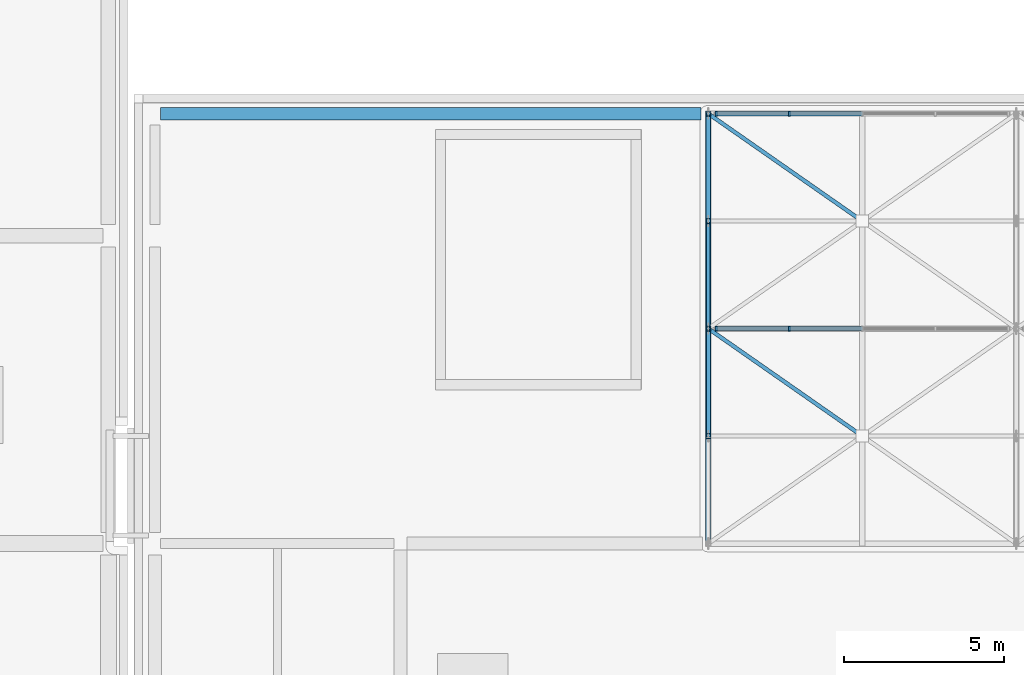
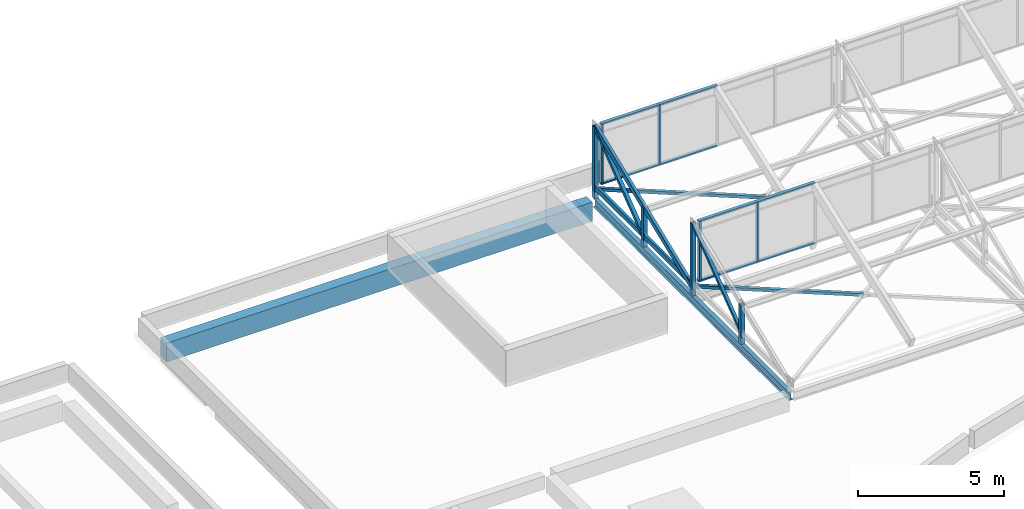
# One storey, part 12 of 40: 22 members, 2 beams, 2 elements without a shape of their own.
"""IFC4 building model written with IfcOpenShell, lengths in metres."""

import ifcopenshell
import ifcopenshell.guid

model = None  # the IFC model being written
_history = None  # IfcOwnerHistory: only IFC2X3 demands one
_inside = {}  # id of a spatial element -> (the spatial element, [elements in it])
_under = {}  # id of a project, library or spatial element -> (it, [spatial elements below it])
_declared = {}  # id of a project -> (the project, [libraries it declares])
_typed = {}  # id of a type object -> (the type object, [elements of that type])
_made_of = {}  # id of a material, layer set ... -> (it, [elements and type objects made of it])


def new_model(schema):
    """Start an empty IFC model of exactly this schema.

    Asked for "IFC4X3", IfcOpenShell would pick the latest addendum, in which some entities
    have other attributes; the version numbers below select the first issue.
    IFC2X3 requires an IfcOwnerHistory on every rooted entity: one is made here for all.
    """
    global model, _history
    if schema == "IFC4X3":
        model = ifcopenshell.file(schema_version=(4, 3, 0, 0))
    else:
        model = ifcopenshell.file(schema=schema)
    _inside.clear()
    _under.clear()
    _declared.clear()
    _typed.clear()
    _made_of.clear()
    _history = None
    if model.schema == "IFC2X3":
        org = make("IfcOrganization", Name="unknown")
        user = make(
            "IfcPersonAndOrganization",
            ThePerson=make("IfcPerson", FamilyName="unknown"),
            TheOrganization=org,
        )
        app = make(
            "IfcApplication",
            ApplicationDeveloper=org,
            Version="unknown",
            ApplicationFullName="unknown",
            ApplicationIdentifier="unknown",
        )
        _history = make(
            "IfcOwnerHistory",
            OwningUser=user,
            OwningApplication=app,
            ChangeAction="ADDED",
            CreationDate=0,
        )
    return model


def make(cls, **values):
    """One entity of the class cls with the attributes given. An attribute that is None is left unset."""
    return model.create_entity(
        cls, **{name: value for name, value in values.items() if value is not None}
    )


def rooted(cls, **values):
    """An entity with a GlobalId (a new one), such as an element, a storey or a relation."""
    return make(cls, GlobalId=ifcopenshell.guid.new(), OwnerHistory=_history, **values)


def si_unit(unit_type, name, prefix=None):
    """IfcSIUnit, for example si_unit("LENGTHUNIT", "METRE", prefix="MILLI")."""
    return make("IfcSIUnit", UnitType=unit_type, Prefix=prefix, Name=name)


def assignment(units):
    """IfcUnitAssignment: the units of a project."""
    return None if units is None else make("IfcUnitAssignment", Units=units)


def point(xyz):
    """IfcCartesianPoint."""
    return None if xyz is None else make("IfcCartesianPoint", Coordinates=xyz)


def direction(xyz):
    """IfcDirection."""
    return None if xyz is None else make("IfcDirection", DirectionRatios=xyz)


def frame(location, z_axis=None, x_axis=None):
    """IfcAxis2Placement3D, a coordinate frame: its origin and axes. An axis left out is left unset."""
    return make(
        "IfcAxis2Placement3D",
        Location=point(location),
        Axis=direction(z_axis),
        RefDirection=direction(x_axis),
    )


def frame_2d(location, x_axis=None):
    """IfcAxis2Placement2D, a coordinate frame in the plane: its origin and x axis."""
    return make(
        "IfcAxis2Placement2D", Location=point(location), RefDirection=direction(x_axis)
    )


def origin():
    """The frame at (0, 0, 0) with its axes left unset."""
    return frame((0.0, 0.0, 0.0))


def origin_2d():
    """The frame at (0, 0) in the plane with its x axis left unset."""
    return frame_2d((0.0, 0.0))


def place(relative_to, where):
    """IfcLocalPlacement: puts the frame where relative to a parent placement (None: the world)."""
    return make(
        "IfcLocalPlacement", PlacementRelTo=relative_to, RelativePlacement=where
    )


def context(
    kind, dimensions, precision=None, world=None, true_north=None, identifier=None
):
    """IfcGeometricRepresentationContext, for example the 3D "Model" context."""
    return make(
        "IfcGeometricRepresentationContext",
        ContextIdentifier=identifier,
        ContextType=kind,
        CoordinateSpaceDimension=dimensions,
        Precision=precision,
        WorldCoordinateSystem=world,
        TrueNorth=true_north,
    )


def subcontext(parent, identifier, kind, view, scale=None):
    """IfcGeometricRepresentationSubContext, for example "Body" below "Model"."""
    return make(
        "IfcGeometricRepresentationSubContext",
        ContextIdentifier=identifier,
        ContextType=kind,
        ParentContext=parent,
        TargetScale=scale,
        TargetView=view,
    )


def project(units=None, contexts=None):
    """IfcProject with its units and contexts."""
    return rooted(
        "IfcProject",
        Name="project",
        RepresentationContexts=contexts,
        UnitsInContext=assignment(units),
    )


def spatial(cls, under=None, at=None, **own):
    """A site, building, storey or space (cls), placed at a placement, below another one or the project."""
    s = rooted(cls, ObjectPlacement=at, **own)
    if under is not None:
        _under.setdefault(under.id(), (under, []))[1].append(s)
    return s


def profile(cls, at=None, kind="AREA", **sizes):
    """A parametric profile (cls). Its sizes go by their IFC names, for example OverallWidth=200.0."""
    return make(cls, ProfileType=kind, Position=at, **sizes)


def rectangle(**sizes):
    """IfcRectangleProfileDef."""
    return profile("IfcRectangleProfileDef", **sizes)


def hollow_rectangle(**sizes):
    """IfcRectangleHollowProfileDef."""
    return profile("IfcRectangleHollowProfileDef", **sizes)


def i_section(**sizes):
    """IfcIShapeProfileDef."""
    return profile("IfcIShapeProfileDef", **sizes)


def extrude(swept, where, along, depth):
    """IfcExtrudedAreaSolid: the profile swept, set in the frame where, extruded along a direction by depth."""
    return make(
        "IfcExtrudedAreaSolid",
        SweptArea=swept,
        Position=where,
        ExtrudedDirection=direction(along),
        Depth=depth,
    )


def shape(context_of_items, identifier, shape_type, items):
    """IfcShapeRepresentation: the items that make up one representation, for example the "Body"."""
    return make(
        "IfcShapeRepresentation",
        ContextOfItems=context_of_items,
        RepresentationIdentifier=identifier,
        RepresentationType=shape_type,
        Items=items,
    )


def material(Name=None, Category=None):
    """IfcMaterial."""
    return make("IfcMaterial", Name=Name, Category=Category)


def material_profile(
    of_material, cross_section, Name=None, Category=None, Priority=None
):
    """IfcMaterialProfile: a cross section and its material."""
    return make(
        "IfcMaterialProfile",
        Name=Name,
        Material=of_material,
        Profile=cross_section,
        Priority=Priority,
        Category=Category,
    )


def profile_set(profiles, Name=None, composite=None):
    """IfcMaterialProfileSet."""
    return make(
        "IfcMaterialProfileSet",
        Name=Name,
        MaterialProfiles=profiles,
        CompositeProfile=composite,
    )


def made_of(thing, what):
    """Note that an element or type object is made of a material, layer set ...; save() writes the relation."""
    if what is not None:
        _made_of.setdefault(what.id(), (what, []))[1].append(thing)
    return thing


def type_object(cls, material=None, **own):
    """A type object (cls), such as IfcWallType, which elements share."""
    return made_of(rooted(cls, **own), material)


def element(
    cls,
    number,
    at=None,
    inside=None,
    cuts=None,
    type_object=None,
    material=None,
    context=None,
    identifier="Body",
    shape_type=None,
    held_by="IfcProductDefinitionShape",
    body=None,
    shapes=None,
    **own,
):
    """One element of the class cls, such as IfcWall. Its Tag is "e" and its number.

    at: its placement. inside: the storey or other place that contains it. cuts: it is an
    opening in that element (IfcRelVoidsElement). A single representation is given by context,
    identifier, shape_type and body (its items); several are given by shapes. held_by: the class
    of the entity that holds the representations. save() writes the other relations.
    """
    e = rooted(cls, Tag="e%d" % number, ObjectPlacement=at, **own)
    if body is not None:
        shapes = [shape(context, identifier, shape_type, body)]
    if shapes is not None:
        e.Representation = make(held_by, Representations=shapes)
    if inside is not None:
        _inside.setdefault(inside.id(), (inside, []))[1].append(e)
    if cuts is not None:
        rooted(
            "IfcRelVoidsElement", RelatingBuildingElement=cuts, RelatedOpeningElement=e
        )
    if type_object is not None:
        _typed.setdefault(type_object.id(), (type_object, []))[1].append(e)
    return made_of(e, material)


def aggregate(whole, parts):
    """IfcRelAggregates: a whole, such as a stair, and the parts it consists of."""
    return rooted("IfcRelAggregates", RelatingObject=whole, RelatedObjects=parts)


def save(model, path):
    """Write the relations noted so far, then the file.

    IfcRelAggregates (storeys below a building ...), IfcRelContainedInSpatialStructure (elements
    in a storey), IfcRelDefinesByType, IfcRelAssociatesMaterial and IfcRelDeclares: one each for
    every whole, place, type object, material and project.
    """
    for whole, parts in _under.values():
        aggregate(whole, parts)
    for where, things in _inside.values():
        rooted(
            "IfcRelContainedInSpatialStructure",
            RelatedElements=things,
            RelatingStructure=where,
        )
    for kind, things in _typed.values():
        rooted("IfcRelDefinesByType", RelatedObjects=things, RelatingType=kind)
    for what, things in _made_of.values():
        rooted("IfcRelAssociatesMaterial", RelatedObjects=things, RelatingMaterial=what)
    for by, libraries in _declared.values():
        rooted("IfcRelDeclares", RelatingContext=by, RelatedDefinitions=libraries)
    model.write(path)


model = new_model("IFC4")

# Units and contexts
model_context = context("Model", 3, precision=1e-05, world=origin(), true_north=direction((0.0, 1.0)))
body_context = subcontext(model_context, "Body", "Model", "MODEL_VIEW")
ifc_project = project(units=[si_unit("LENGTHUNIT", "METRE"), si_unit("AREAUNIT", "SQUARE_METRE"), si_unit("VOLUMEUNIT", "CUBIC_METRE"), si_unit("PLANEANGLEUNIT", "RADIAN"), si_unit("MASSUNIT", "GRAM", prefix="KILO")], contexts=[model_context])

# Site, building, storey
site_placement = place(None, origin())
site = spatial("IfcSite", under=ifc_project, at=site_placement, CompositionType="ELEMENT")
building_placement = place(site_placement, origin())
building = spatial("IfcBuilding", under=site, at=building_placement, Name="Mzevani Central Library", CompositionType="ELEMENT")
storey_placement = place(building_placement, frame((0.0, 0.0, 26.699951171875)))
storey = spatial("IfcBuildingStorey", under=building, at=storey_placement, Name="RF", CompositionType="ELEMENT", Elevation=26.699951171875)

# Beam
ifc_material_1 = material(Name="Concrete C35/45", Category="concrete")
ifc_material_profile_1 = material_profile(ifc_material_1, rectangle(XDim=0.39990234375, YDim=0.800048828125, at=origin_2d()), Name="RC B400x800")
ifc_profile_set_1 = profile_set([ifc_material_profile_1], Name="Concrete C35/45")
beam_type_1 = type_object("IfcBeamType", Name="Beam RC 400x800", PredefinedType="BEAM", material=ifc_profile_set_1)
beam_1_placement = place(storey_placement, frame((46.925048828125, 113.39990234375, -4.85986328125), z_axis=(1.0, 0.0, 0.0), x_axis=(0.0, 1.0, 0.0)))
element("IfcBeam", 1, at=beam_1_placement, inside=storey, type_object=beam_type_1, Name="RF V3 Girder B-10 (770)", PredefinedType="BEAM", context=body_context, shape_type="SweptSolid", body=[
    extrude(rectangle(XDim=0.39990234375, YDim=0.800048828125, at=origin_2d()), origin(), (0.0, 0.0, 1.0), 16.849853515625),
])

# Curtain wall, members
ifc_material_2 = material(Name="Thermally broken aluminium and Low-E triple glazing", Category="aluminium")
curtain_wall_type = type_object("IfcCurtainWallType", Name="Sawtooth Clerestory Curtain Wall", PredefinedType="NOTDEFINED", material=ifc_material_2)
curtain_wall_1_placement = place(storey_placement, origin())
curtain_wall_1 = element("IfcCurtainWall", 2, at=curtain_wall_1_placement, inside=storey, type_object=curtain_wall_type, Name="RF Sawtooth Northlight Clerestory 1.1", PredefinedType="NOTDEFINED")
ifc_material_3 = material(Name="Thermally broken aluminium AW-6060", Category="aluminium")
ifc_material_profile_2 = material_profile(ifc_material_3, rectangle(XDim=0.06005859375, YDim=0.159912109375, at=origin_2d()), Name="ALU M60x160")
ifc_profile_set_2 = profile_set([ifc_material_profile_2], Name="Thermally broken aluminium AW-6060")
member_type_1 = type_object("IfcMemberType", Name="CW Mullion 60x160", PredefinedType="MULLION", material=ifc_profile_set_2)
member_1_placement = place(storey_placement, frame((64.25, 106.699951171875, -3.949951171875), z_axis=(0.0, 0.0, 1.0), x_axis=(1.0, 0.0, 0.0)))
member_1 = element("IfcMember", 3, at=member_1_placement, type_object=member_type_1, Name="RF Sawtooth Northlight Clerestory 1.1 Mullion 1", PredefinedType="MULLION", context=body_context, shape_type="SweptSolid", body=[
    extrude(rectangle(XDim=0.06005859375, YDim=0.159912109375, at=origin_2d()), origin(), (0.0, 0.0, 1.0), 2.5),
])
member_2_placement = place(storey_placement, frame((66.52490234375, 106.699951171875, -3.949951171875), z_axis=(0.0, 0.0, 1.0), x_axis=(1.0, 0.0, 0.0)))
member_2 = element("IfcMember", 4, at=member_2_placement, type_object=member_type_1, Name="RF Sawtooth Northlight Clerestory 1.1 Mullion 2", PredefinedType="MULLION", context=body_context, shape_type="SweptSolid", body=[
    extrude(rectangle(XDim=0.06005859375, YDim=0.159912109375, at=origin_2d()), origin(), (0.0, 0.0, 1.0), 2.5),
])

curtain_wall_2_placement = place(storey_placement, origin())
curtain_wall_2 = element("IfcCurtainWall", 5, at=curtain_wall_2_placement, inside=storey, type_object=curtain_wall_type, Name="RF Sawtooth Northlight Clerestory 2.1", PredefinedType="NOTDEFINED")
member_3_placement = place(storey_placement, frame((64.25, 113.39990234375, -3.949951171875), z_axis=(0.0, 0.0, 1.0), x_axis=(1.0, 0.0, 0.0)))
member_3 = element("IfcMember", 6, at=member_3_placement, type_object=member_type_1, Name="RF Sawtooth Northlight Clerestory 2.1 Mullion 1", PredefinedType="MULLION", context=body_context, shape_type="SweptSolid", body=[
    extrude(rectangle(XDim=0.06005859375, YDim=0.159912109375, at=origin_2d()), origin(), (0.0, 0.0, 1.0), 2.5),
])
member_4_placement = place(storey_placement, frame((66.52490234375, 113.39990234375, -3.949951171875), z_axis=(0.0, 0.0, 1.0), x_axis=(1.0, 0.0, 0.0)))
member_4 = element("IfcMember", 7, at=member_4_placement, type_object=member_type_1, Name="RF Sawtooth Northlight Clerestory 2.1 Mullion 2", PredefinedType="MULLION", context=body_context, shape_type="SweptSolid", body=[
    extrude(rectangle(XDim=0.06005859375, YDim=0.159912109375, at=origin_2d()), origin(), (0.0, 0.0, 1.0), 2.5),
])

# Member
ifc_material_profile_3 = material_profile(ifc_material_3, rectangle(XDim=0.1298828125, YDim=0.06005859375, at=origin_2d()), Name="ALU T60x130")
ifc_profile_set_3 = profile_set([ifc_material_profile_3], Name="Thermally broken aluminium AW-6060")
member_type_2 = type_object("IfcMemberType", Name="CW Transom 60x130", PredefinedType="USERDEFINED", material=ifc_profile_set_3)
member_5_placement = place(storey_placement, frame((64.199951171875, 106.699951171875, -3.949951171875), z_axis=(1.0, 0.0, 0.0), x_axis=(0.0, 1.0, 0.0)))
member_5 = element("IfcMember", 8, at=member_5_placement, type_object=member_type_2, Name="RF Sawtooth Northlight Clerestory 1.1 Transom 1", ObjectType="TRANSOM", PredefinedType="USERDEFINED", context=body_context, shape_type="SweptSolid", body=[
    extrude(rectangle(XDim=0.1298828125, YDim=0.06005859375, at=origin_2d()), origin(), (0.0, 0.0, 1.0), 2.300048828125),
])

member_6_placement = place(storey_placement, frame((64.199951171875, 106.699951171875, -1.449951171875), z_axis=(1.0, 0.0, 0.0), x_axis=(0.0, 1.0, 0.0)))
member_6 = element("IfcMember", 9, at=member_6_placement, type_object=member_type_2, Name="RF Sawtooth Northlight Clerestory 1.1 Transom 2", ObjectType="TRANSOM", PredefinedType="USERDEFINED", context=body_context, shape_type="SweptSolid", body=[
    extrude(rectangle(XDim=0.1298828125, YDim=0.06005859375, at=origin_2d()), origin(), (0.0, 0.0, 1.0), 2.300048828125),
])

member_7_placement = place(storey_placement, frame((66.5, 106.699951171875, -3.949951171875), z_axis=(1.0, 0.0, 0.0), x_axis=(0.0, 1.0, 0.0)))
member_7 = element("IfcMember", 10, at=member_7_placement, type_object=member_type_2, Name="RF Sawtooth Northlight Clerestory 1.1 Transom 3", ObjectType="TRANSOM", PredefinedType="USERDEFINED", context=body_context, shape_type="SweptSolid", body=[
    extrude(rectangle(XDim=0.1298828125, YDim=0.06005859375, at=origin_2d()), origin(), (0.0, 0.0, 1.0), 2.300048828125),
])

member_8_placement = place(storey_placement, frame((66.5, 106.699951171875, -1.449951171875), z_axis=(1.0, 0.0, 0.0), x_axis=(0.0, 1.0, 0.0)))
member_8 = element("IfcMember", 11, at=member_8_placement, type_object=member_type_2, Name="RF Sawtooth Northlight Clerestory 1.1 Transom 4", ObjectType="TRANSOM", PredefinedType="USERDEFINED", context=body_context, shape_type="SweptSolid", body=[
    extrude(rectangle(XDim=0.1298828125, YDim=0.06005859375, at=origin_2d()), origin(), (0.0, 0.0, 1.0), 2.300048828125),
])

aggregate(curtain_wall_1, [member_1, member_2, member_5, member_6, member_7, member_8])

member_9_placement = place(storey_placement, frame((64.199951171875, 113.39990234375, -3.949951171875), z_axis=(1.0, 0.0, 0.0), x_axis=(0.0, 1.0, 0.0)))
member_9 = element("IfcMember", 12, at=member_9_placement, type_object=member_type_2, Name="RF Sawtooth Northlight Clerestory 2.1 Transom 1", ObjectType="TRANSOM", PredefinedType="USERDEFINED", context=body_context, shape_type="SweptSolid", body=[
    extrude(rectangle(XDim=0.1298828125, YDim=0.06005859375, at=origin_2d()), origin(), (0.0, 0.0, 1.0), 2.300048828125),
])

member_10_placement = place(storey_placement, frame((64.199951171875, 113.39990234375, -1.449951171875), z_axis=(1.0, 0.0, 0.0), x_axis=(0.0, 1.0, 0.0)))
member_10 = element("IfcMember", 13, at=member_10_placement, type_object=member_type_2, Name="RF Sawtooth Northlight Clerestory 2.1 Transom 2", ObjectType="TRANSOM", PredefinedType="USERDEFINED", context=body_context, shape_type="SweptSolid", body=[
    extrude(rectangle(XDim=0.1298828125, YDim=0.06005859375, at=origin_2d()), origin(), (0.0, 0.0, 1.0), 2.300048828125),
])

member_11_placement = place(storey_placement, frame((66.5, 113.39990234375, -3.949951171875), z_axis=(1.0, 0.0, 0.0), x_axis=(0.0, 1.0, 0.0)))
member_11 = element("IfcMember", 14, at=member_11_placement, type_object=member_type_2, Name="RF Sawtooth Northlight Clerestory 2.1 Transom 3", ObjectType="TRANSOM", PredefinedType="USERDEFINED", context=body_context, shape_type="SweptSolid", body=[
    extrude(rectangle(XDim=0.1298828125, YDim=0.06005859375, at=origin_2d()), origin(), (0.0, 0.0, 1.0), 2.300048828125),
])

member_12_placement = place(storey_placement, frame((66.5, 113.39990234375, -1.449951171875), z_axis=(1.0, 0.0, 0.0), x_axis=(0.0, 1.0, 0.0)))
member_12 = element("IfcMember", 15, at=member_12_placement, type_object=member_type_2, Name="RF Sawtooth Northlight Clerestory 2.1 Transom 4", ObjectType="TRANSOM", PredefinedType="USERDEFINED", context=body_context, shape_type="SweptSolid", body=[
    extrude(rectangle(XDim=0.1298828125, YDim=0.06005859375, at=origin_2d()), origin(), (0.0, 0.0, 1.0), 2.300048828125),
])

aggregate(curtain_wall_2, [member_3, member_4, member_9, member_10, member_11, member_12])

# Members
ifc_material_4 = material(Name="Steel S355J2", Category="steel")
ifc_material_profile_4 = material_profile(ifc_material_4, hollow_rectangle(XDim=0.1201171875, YDim=0.1201171875, WallThickness=0.008056640625, at=origin_2d()), Name="SHS 120x120x8.0")
ifc_profile_set_4 = profile_set([ifc_material_profile_4], Name="Steel S355J2")
member_type_3 = type_object("IfcMemberType", Name="Roof Plan Brace SHS 120x120", PredefinedType="BRACE", material=ifc_profile_set_4)
member_13_placement = place(storey_placement, frame((64.0, 103.35009765625, -4.02001953125), z_axis=(0.0, 0.795685909111, 0.605709446882), x_axis=(-1.0, 0.0, 0.0)))
element("IfcMember", 16, at=member_13_placement, inside=storey, type_object=member_type_3, Name="RF Sawtooth Web Diagonal 1.1", PredefinedType="BRACE", context=body_context, shape_type="SweptSolid", body=[
    extrude(hollow_rectangle(XDim=0.1201171875, YDim=0.1201171875, WallThickness=0.008056640625, at=origin_2d()), origin(), (0.0, 0.0, 1.0), 4.2099609375),
])
for number, where, z_axis, x_axis, name in (
    (17, (68.800048828125, 103.35009765625, -4.099853515625), (-0.820048200917, 0.572294459324, 0.0), (-0.572294459324, -0.820048200917, 0.0), "RF Sawtooth Plan X-Brace Split 2 1.64"),
    (18, (68.800048828125, 110.050048828125, -4.099853515625), (-0.820048200917, 0.572294459324, 0.0), (-0.572294459324, -0.820048200917, 0.0), "RF Sawtooth Plan X-Brace Split 2 2.64"),
):
    element("IfcMember", number, at=place(storey_placement, frame(where, z_axis=z_axis, x_axis=x_axis)), inside=storey, type_object=member_type_3, Name=name, PredefinedType="BRACE", context=body_context, shape_type="SweptSolid", body=[
        extrude(hollow_rectangle(XDim=0.1201171875, YDim=0.1201171875, WallThickness=0.008056640625, at=origin_2d()), origin(), (0.0, 0.0, 1.0), 5.853271484375),
    ])
ifc_material_profile_5 = material_profile(ifc_material_4, hollow_rectangle(XDim=0.139892578125, YDim=0.139892578125, WallThickness=0.008056640625, at=origin_2d()), Name="SHS 140x140x8.0")
ifc_profile_set_5 = profile_set([ifc_material_profile_5], Name="Steel S355J2")
member_type_4 = type_object("IfcMemberType", Name="Roof Plan Brace SHS 140x140", PredefinedType="BRACE", material=ifc_profile_set_5)
member_14_placement = place(storey_placement, frame((64.0, 110.050048828125, -4.02001953125), z_axis=(0.0, 0.795685909111, 0.605709446882), x_axis=(-1.0, 0.0, 0.0)))
element("IfcMember", 19, at=member_14_placement, inside=storey, type_object=member_type_4, Name="RF Sawtooth Web Diagonal 2.1", PredefinedType="BRACE", context=body_context, shape_type="SweptSolid", body=[
    extrude(hollow_rectangle(XDim=0.139892578125, YDim=0.139892578125, WallThickness=0.008056640625, at=origin_2d()), origin(), (0.0, 0.0, 1.0), 4.2099609375),
])

# Beam
ifc_material_profile_6 = material_profile(ifc_material_4, i_section(OverallWidth=0.169921875, OverallDepth=0.360107421875, WebThickness=0.008056640625, FlangeThickness=0.0126953125, FilletRadius=0.01806640625, at=origin_2d()), Name="IPE 360")
ifc_profile_set_6 = profile_set([ifc_material_profile_6], Name="Steel S355J2")
beam_type_2 = type_object("IfcBeamType", Name="Sawtooth Girder Steel IPE 360", PredefinedType="BEAM", material=ifc_profile_set_6)
beam_2_placement = place(storey_placement, frame((64.0, 100.0, -4.639892578125), z_axis=(0.0, 1.0, 0.0), x_axis=(-1.0, 0.0, 0.0)))
element("IfcBeam", 20, at=beam_2_placement, inside=storey, type_object=beam_type_2, Name="RF Sawtooth Primary Tie Girder 1", PredefinedType="BEAM", context=body_context, shape_type="SweptSolid", body=[
    extrude(i_section(OverallWidth=0.169921875, OverallDepth=0.360107421875, WebThickness=0.008056640625, FlangeThickness=0.0126953125, FilletRadius=0.01806640625, at=origin_2d()), origin(), (0.0, 0.0, 1.0), 13.39990234375),
])

# Members
ifc_material_profile_7 = material_profile(ifc_material_4, hollow_rectangle(XDim=0.10009765625, YDim=0.199951171875, WallThickness=0.010009765625, at=origin_2d()), Name="RHS 200x100x10.0")
ifc_profile_set_7 = profile_set([ifc_material_profile_7], Name="Steel S355J2")
member_type_5 = type_object("IfcMemberType", Name="Sawtooth Truss Chord RHS 200x100", PredefinedType="CHORD", material=ifc_profile_set_7)
member_15_placement = place(storey_placement, frame((64.0, 106.699951171875, -4.02001953125), z_axis=(0.0, 1.0, 0.0), x_axis=(-1.0, 0.0, 0.0)))
element("IfcMember", 21, at=member_15_placement, inside=storey, type_object=member_type_5, Name="RF Sawtooth Bottom Chord 2.1", PredefinedType="CHORD", context=body_context, shape_type="SweptSolid", body=[
    extrude(hollow_rectangle(XDim=0.10009765625, YDim=0.199951171875, WallThickness=0.010009765625, at=origin_2d()), origin(), (0.0, 0.0, 1.0), 6.699951171875),
])
ifc_material_profile_8 = material_profile(ifc_material_4, hollow_rectangle(XDim=0.1201171875, YDim=0.219970703125, WallThickness=0.010009765625, at=origin_2d()), Name="RHS 220x120x10.0")
ifc_profile_set_8 = profile_set([ifc_material_profile_8], Name="Steel S355J2")
member_type_6 = type_object("IfcMemberType", Name="Sawtooth Truss Chord RHS 220x120", PredefinedType="CHORD", material=ifc_profile_set_8)
member_16_placement = place(storey_placement, frame((64.0, 106.699951171875, -4.169921875), z_axis=(0.0, 0.927520293405, 0.373772799066), x_axis=(-1.0, 0.0, 0.0)))
element("IfcMember", 22, at=member_16_placement, inside=storey, type_object=member_type_6, Name="RF Sawtooth Top Rafter 2.1", PredefinedType="CHORD", context=body_context, shape_type="SweptSolid", body=[
    extrude(hollow_rectangle(XDim=0.1201171875, YDim=0.219970703125, WallThickness=0.010009765625, at=origin_2d()), origin(), (0.0, 0.0, 1.0), 7.223388671875),
])
ifc_material_profile_9 = material_profile(ifc_material_4, hollow_rectangle(XDim=0.159912109375, YDim=0.159912109375, WallThickness=0.010009765625, at=origin_2d()), Name="SHS 160x160x10.0")
ifc_profile_set_9 = profile_set([ifc_material_profile_9], Name="Steel S355J2")
member_type_7 = type_object("IfcMemberType", Name="Truss Vertical Post SHS 160x160", PredefinedType="POST", material=ifc_profile_set_9)
member_17_placement = place(storey_placement, frame((64.0, 106.699951171875, -4.4599609375), z_axis=(0.0, 0.0, 1.0), x_axis=(1.0, 0.0, 0.0)))
element("IfcMember", 23, at=member_17_placement, inside=storey, type_object=member_type_7, Name="RF Sawtooth Ridge Post 1.1", PredefinedType="POST", context=body_context, shape_type="SweptSolid", body=[
    extrude(hollow_rectangle(XDim=0.159912109375, YDim=0.159912109375, WallThickness=0.010009765625, at=origin_2d()), origin(), (0.0, 0.0, 1.0), 2.989990234375),
])
member_18_placement = place(storey_placement, frame((64.0, 103.35009765625, -4.4599609375), z_axis=(0.0, 0.0, 1.0), x_axis=(1.0, 0.0, 0.0)))
element("IfcMember", 24, at=member_18_placement, inside=storey, type_object=member_type_7, Name="RF Sawtooth Mid Post 1.1", PredefinedType="POST", context=body_context, shape_type="SweptSolid", body=[
    extrude(hollow_rectangle(XDim=0.159912109375, YDim=0.159912109375, WallThickness=0.010009765625, at=origin_2d()), origin(), (0.0, 0.0, 1.0), 1.639892578125),
])
member_19_placement = place(storey_placement, frame((64.0, 113.39990234375, -4.4599609375), z_axis=(0.0, 0.0, 1.0), x_axis=(1.0, 0.0, 0.0)))
element("IfcMember", 25, at=member_19_placement, inside=storey, type_object=member_type_7, Name="RF Sawtooth Ridge Post 2.1", PredefinedType="POST", context=body_context, shape_type="SweptSolid", body=[
    extrude(hollow_rectangle(XDim=0.159912109375, YDim=0.159912109375, WallThickness=0.010009765625, at=origin_2d()), origin(), (0.0, 0.0, 1.0), 2.989990234375),
])
member_20_placement = place(storey_placement, frame((64.0, 110.050048828125, -4.4599609375), z_axis=(0.0, 0.0, 1.0), x_axis=(1.0, 0.0, 0.0)))
element("IfcMember", 26, at=member_20_placement, inside=storey, type_object=member_type_7, Name="RF Sawtooth Mid Post 2.1", PredefinedType="POST", context=body_context, shape_type="SweptSolid", body=[
    extrude(hollow_rectangle(XDim=0.159912109375, YDim=0.159912109375, WallThickness=0.010009765625, at=origin_2d()), origin(), (0.0, 0.0, 1.0), 1.639892578125),
])

save(model, "model.ifc")
